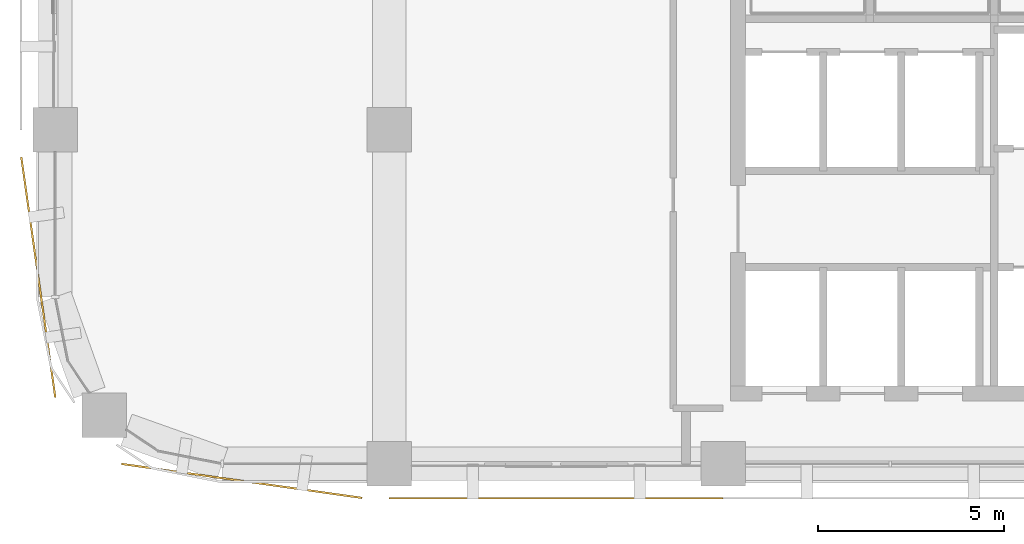
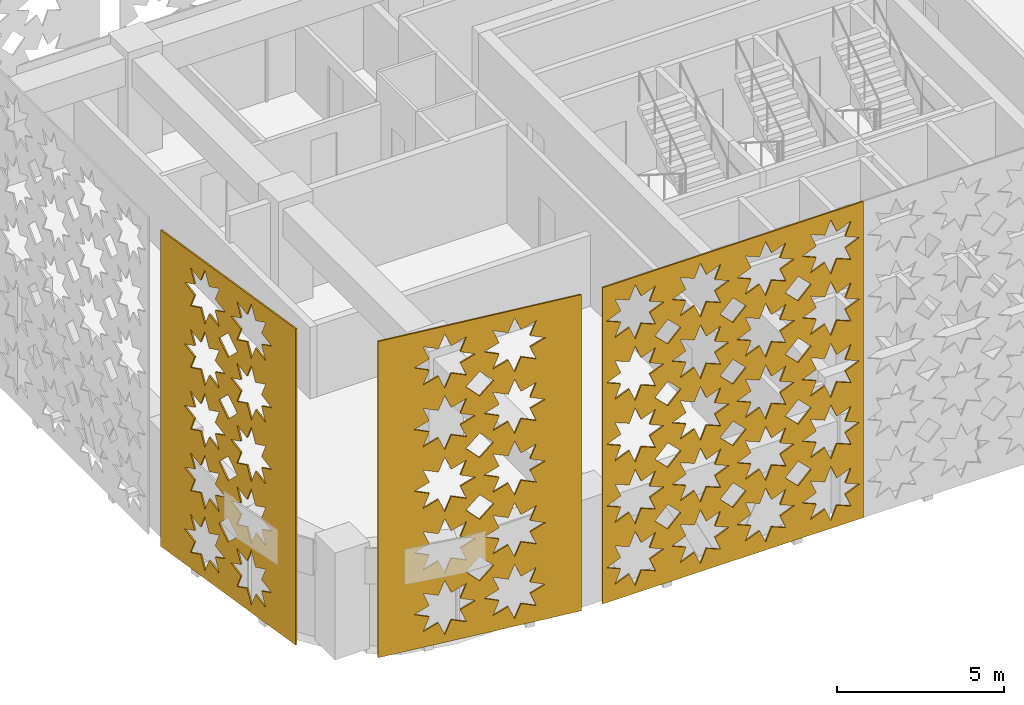
# One storey, part 10 of 15: 3 coverings.
"""IFC4 building model written with IfcOpenShell, lengths in metres."""

from ifc_helpers import new_model, si_unit, direction, frame, origin, place, context, subcontext, project, spatial, polyline, outline, extrude, material, layer, layer_set, type_object, element, save


model = new_model("IFC4")

# Units and contexts
model_context = context("Model", 3, precision=1e-05, world=origin(), true_north=direction((0.0, 1.0)))
body_context = subcontext(model_context, "Body", "Model", "MODEL_VIEW")
ifc_project = project(units=[si_unit("LENGTHUNIT", "METRE"), si_unit("AREAUNIT", "SQUARE_METRE"), si_unit("VOLUMEUNIT", "CUBIC_METRE"), si_unit("PLANEANGLEUNIT", "RADIAN"), si_unit("MASSUNIT", "GRAM", prefix="KILO")], contexts=[model_context])

# Site, building, storey
site_placement = place(None, origin())
site = spatial("IfcSite", under=ifc_project, at=site_placement, CompositionType="ELEMENT")
building_placement = place(site_placement, origin())
building = spatial("IfcBuilding", under=site, at=building_placement, Name="Tessera Arch", CompositionType="ELEMENT")
storey_placement = place(building_placement, frame((0.0, 0.0, 257.89990234375)))
storey = spatial("IfcBuildingStorey", under=building, at=storey_placement, Name="L62", CompositionType="ELEMENT", Elevation=257.89990234375)

# Coverings
ifc_material_1 = material(Name="Anodised aluminium pale metal", Category="aluminium")
ifc_layer_1 = layer(ifc_material_1, 0.050048828125)
ifc_layer_set_1 = layer_set([ifc_layer_1], Name="Pierced screen panel corner bay")
covering_type_1 = type_object("IfcCoveringType", Name="Pierced screen panel corner bay", PredefinedType="CLADDING", material=ifc_layer_set_1)
covering_1_placement = place(storey_placement, frame((17.10888671875, 35.27392578125, 11.7001953125), z_axis=(0.990141011378, 0.140074186016, 0.0), x_axis=(0.140074186016, -0.990141011378, 0.0)))
element("IfcCovering", 1, at=covering_1_placement, inside=storey, type_object=covering_type_1, Name="SCREEN pierced panel W18.27/2 L62-L64", PredefinedType="CLADDING", context=body_context, shape_type="SweptSolid", body=[
    extrude(outline(polyline([(0.0, 0.0), (6.546475218445481, 0.0), (6.546475218445481, 11.5400390625), (0.0, 11.5400390625), (0.0, 0.0)]), holes=[polyline([(3.1378926073747033, 10.27001953125), (2.646957140062835, 10.06298828125), (2.8479028079497066, 9.570068359375), (2.354999273675671, 9.77099609375), (2.147907671256942, 9.280029296875), (1.941990539265672, 9.77099609375), (1.4481200704102128, 9.570068359375), (1.6490657382970841, 10.06298828125), (1.158130270985216, 10.27001953125), (1.6490657382970841, 10.47705078125), (1.4481200704102128, 10.97021484375), (1.941990539265672, 10.76904296875), (2.147907671256942, 11.260009765625), (2.354999273675671, 10.76904296875), (2.8479028079497066, 10.97021484375), (2.646957140062835, 10.47705078125), (3.1378926073747033, 10.27001953125)]), polyline([(3.1378926073747033, 8.02001953125), (2.646957140062835, 7.81298828125), (2.8479028079497066, 7.320068359375), (2.354999273675671, 7.52099609375), (2.147907671256942, 7.030029296875), (1.941990539265672, 7.52099609375), (1.4481200704102128, 7.320068359375), (1.6490657382970841, 7.81298828125), (1.158130270985216, 8.02001953125), (1.6490657382970841, 8.22705078125), (1.4481200704102128, 8.72021484375), (1.941990539265672, 8.51904296875), (2.147907671256942, 9.010009765625), (2.354999273675671, 8.51904296875), (2.8479028079497066, 8.72021484375), (2.646957140062835, 8.22705078125), (3.1378926073747033, 8.02001953125)]), polyline([(3.1378926073747033, 5.77001953125), (2.646957140062835, 5.56298828125), (2.8479028079497066, 5.070068359375), (2.354999273675671, 5.27099609375), (2.147907671256942, 4.780029296875), (1.941990539265672, 5.27099609375), (1.4481200704102128, 5.070068359375), (1.6490657382970841, 5.56298828125), (1.158130270985216, 5.77001953125), (1.6490657382970841, 5.97705078125), (1.4481200704102128, 6.47021484375), (1.941990539265672, 6.26904296875), (2.147907671256942, 6.760009765625), (2.354999273675671, 6.26904296875), (2.8479028079497066, 6.47021484375), (2.646957140062835, 5.97705078125), (3.1378926073747033, 5.77001953125)]), polyline([(3.1378926073747033, 3.52001953125), (2.646957140062835, 3.31298828125), (2.8479028079497066, 2.820068359375), (2.354999273675671, 3.02099609375), (2.147907671256942, 2.530029296875), (1.941990539265672, 3.02099609375), (1.4481200704102128, 2.820068359375), (1.6490657382970841, 3.31298828125), (1.158130270985216, 3.52001953125), (1.6490657382970841, 3.72705078125), (1.4481200704102128, 4.22021484375), (1.941990539265672, 4.01904296875), (2.147907671256942, 4.510009765625), (2.354999273675671, 4.01904296875), (2.8479028079497066, 4.22021484375), (2.646957140062835, 3.72705078125), (3.1378926073747033, 3.52001953125)]), polyline([(3.1378926073747033, 1.27001953125), (2.646957140062835, 1.06298828125), (2.8479028079497066, 0.570068359375), (2.354999273675671, 0.77099609375), (2.147907671256942, 0.280029296875), (1.941990539265672, 0.77099609375), (1.4481200704102128, 0.570068359375), (1.6490657382970841, 1.06298828125), (1.158130270985216, 1.27001953125), (1.6490657382970841, 1.47705078125), (1.4481200704102128, 1.97021484375), (1.941990539265672, 1.76904296875), (2.147907671256942, 2.260009765625), (2.354999273675671, 1.76904296875), (2.8479028079497066, 1.97021484375), (2.646957140062835, 1.47705078125), (3.1378926073747033, 1.27001953125)]), polyline([(5.387861480169554, 10.27001953125), (4.896926012857686, 10.06298828125), (5.097871680744557, 9.570068359375), (4.604968146470521, 9.77099609375), (4.398118277697149, 9.280029296875), (4.191959412060523, 9.77099609375), (3.698088943205064, 9.570068359375), (3.899034611091935, 10.06298828125), (3.408099143780067, 10.27001953125), (3.899034611091935, 10.47705078125), (3.698088943205064, 10.97021484375), (4.191959412060523, 10.76904296875), (4.398118277697149, 11.260009765625), (4.604968146470521, 10.76904296875), (5.097871680744557, 10.97021484375), (4.896926012857686, 10.47705078125), (5.387861480169554, 10.27001953125)]), polyline([(5.387861480169554, 8.02001953125), (4.896926012857686, 7.81298828125), (5.097871680744557, 7.320068359375), (4.604968146470521, 7.52099609375), (4.398118277697149, 7.030029296875), (4.191959412060523, 7.52099609375), (3.698088943205064, 7.320068359375), (3.899034611091935, 7.81298828125), (3.408099143780067, 8.02001953125), (3.899034611091935, 8.22705078125), (3.698088943205064, 8.72021484375), (4.191959412060523, 8.51904296875), (4.398118277697149, 9.010009765625), (4.604968146470521, 8.51904296875), (5.097871680744557, 8.72021484375), (4.896926012857686, 8.22705078125), (5.387861480169554, 8.02001953125)]), polyline([(5.387861480169554, 5.77001953125), (4.896926012857686, 5.56298828125), (5.097871680744557, 5.070068359375), (4.604968146470521, 5.27099609375), (4.398118277697149, 4.780029296875), (4.191959412060523, 5.27099609375), (3.698088943205064, 5.070068359375), (3.899034611091935, 5.56298828125), (3.408099143780067, 5.77001953125), (3.899034611091935, 5.97705078125), (3.698088943205064, 6.47021484375), (4.191959412060523, 6.26904296875), (4.398118277697149, 6.760009765625), (4.604968146470521, 6.26904296875), (5.097871680744557, 6.47021484375), (4.896926012857686, 5.97705078125), (5.387861480169554, 5.77001953125)]), polyline([(5.387861480169554, 3.52001953125), (4.896926012857686, 3.31298828125), (5.097871680744557, 2.820068359375), (4.604968146470521, 3.02099609375), (4.398118277697149, 2.530029296875), (4.191959412060523, 3.02099609375), (3.698088943205064, 2.820068359375), (3.899034611091935, 3.31298828125), (3.408099143780067, 3.52001953125), (3.899034611091935, 3.72705078125), (3.698088943205064, 4.22021484375), (4.191959412060523, 4.01904296875), (4.398118277697149, 4.510009765625), (4.604968146470521, 4.01904296875), (5.097871680744557, 4.22021484375), (4.896926012857686, 3.72705078125), (5.387861480169554, 3.52001953125)]), polyline([(5.387861480169554, 1.27001953125), (4.896926012857686, 1.06298828125), (5.097871680744557, 0.570068359375), (4.604968146470521, 0.77099609375), (4.398118277697149, 0.280029296875), (4.191959412060523, 0.77099609375), (3.698088943205064, 0.570068359375), (3.899034611091935, 1.06298828125), (3.408099143780067, 1.27001953125), (3.899034611091935, 1.47705078125), (3.698088943205064, 1.97021484375), (4.191959412060523, 1.76904296875), (4.398118277697149, 2.260009765625), (4.604968146470521, 1.76904296875), (5.097871680744557, 1.97021484375), (4.896926012857686, 1.47705078125), (5.387861480169554, 1.27001953125)]), polyline([(3.7229828105764913, 9.14501953125), (3.2729958755773856, 8.695068359375), (2.823008940578279, 9.14501953125), (3.2729958755773856, 9.59521484375), (3.7229828105764913, 9.14501953125)]), polyline([(3.7229828105764913, 6.89501953125), (3.2729958755773856, 6.445068359375), (2.823008940578279, 6.89501953125), (3.2729958755773856, 7.34521484375), (3.7229828105764913, 6.89501953125)]), polyline([(3.7229828105764913, 4.64501953125), (3.2729958755773856, 4.195068359375), (2.823008940578279, 4.64501953125), (3.2729958755773856, 5.09521484375), (3.7229828105764913, 4.64501953125)]), polyline([(3.7229828105764913, 2.39501953125), (3.2729958755773856, 1.945068359375), (2.823008940578279, 2.39501953125), (3.2729958755773856, 2.84521484375), (3.7229828105764913, 2.39501953125)])]), origin(), (0.0, 0.0, -1.0), 0.050048828125),
])
covering_2_placement = place(storey_placement, frame((19.7919921875, 27.02587890625, 11.7001953125), z_axis=(0.140074186016, 0.990141011378, 0.0), x_axis=(0.990141011378, -0.140074186016, 0.0)))
element("IfcCovering", 2, at=covering_2_placement, inside=storey, type_object=covering_type_1, Name="SCREEN pierced panel S27.18/0 L62-L64", PredefinedType="CLADDING", context=body_context, shape_type="SweptSolid", body=[
    extrude(outline(polyline([(0.0, 0.0), (6.546475218445481, 0.0), (6.546475218445481, 11.5400390625), (0.0, 11.5400390625), (0.0, 0.0)]), holes=[polyline([(3.137858409575383, 10.27001953125), (2.6469229422635148, 10.06298828125), (2.8479028079497066, 9.570068359375), (2.354999273675671, 9.77099609375), (2.1478734734576217, 9.280029296875), (1.941990539265672, 9.77099609375), (1.447878336764857, 9.570068359375), (1.6490657382970841, 10.06298828125), (1.15788853733986, 10.27001953125), (1.6490657382970841, 10.47705078125), (1.447878336764857, 10.97021484375), (1.941990539265672, 10.76904296875), (2.1478734734576217, 11.260009765625), (2.354999273675671, 10.76904296875), (2.8479028079497066, 10.97021484375), (2.6469229422635148, 10.47705078125), (3.137858409575383, 10.27001953125)]), polyline([(3.137858409575383, 8.02001953125), (2.6469229422635148, 7.81298828125), (2.8479028079497066, 7.320068359375), (2.354999273675671, 7.52099609375), (2.1478734734576217, 7.030029296875), (1.941990539265672, 7.52099609375), (1.447878336764857, 7.320068359375), (1.6490657382970841, 7.81298828125), (1.15788853733986, 8.02001953125), (1.6490657382970841, 8.22705078125), (1.447878336764857, 8.72021484375), (1.941990539265672, 8.51904296875), (2.1478734734576217, 9.010009765625), (2.354999273675671, 8.51904296875), (2.8479028079497066, 8.72021484375), (2.6469229422635148, 8.22705078125), (3.137858409575383, 8.02001953125)]), polyline([(3.137858409575383, 5.77001953125), (2.6469229422635148, 5.56298828125), (2.8479028079497066, 5.070068359375), (2.354999273675671, 5.27099609375), (2.1478734734576217, 4.780029296875), (1.941990539265672, 5.27099609375), (1.447878336764857, 5.070068359375), (1.6490657382970841, 5.56298828125), (1.15788853733986, 5.77001953125), (1.6490657382970841, 5.97705078125), (1.447878336764857, 6.47021484375), (1.941990539265672, 6.26904296875), (2.1478734734576217, 6.760009765625), (2.354999273675671, 6.26904296875), (2.8479028079497066, 6.47021484375), (2.6469229422635148, 5.97705078125), (3.137858409575383, 5.77001953125)]), polyline([(3.137858409575383, 3.52001953125), (2.6469229422635148, 3.31298828125), (2.8479028079497066, 2.820068359375), (2.354999273675671, 3.02099609375), (2.1478734734576217, 2.530029296875), (1.941990539265672, 3.02099609375), (1.447878336764857, 2.820068359375), (1.6490657382970841, 3.31298828125), (1.15788853733986, 3.52001953125), (1.6490657382970841, 3.72705078125), (1.447878336764857, 4.22021484375), (1.941990539265672, 4.01904296875), (2.1478734734576217, 4.510009765625), (2.354999273675671, 4.01904296875), (2.8479028079497066, 4.22021484375), (2.6469229422635148, 3.72705078125), (3.137858409575383, 3.52001953125)]), polyline([(3.137858409575383, 1.27001953125), (2.6469229422635148, 1.06298828125), (2.8479028079497066, 0.570068359375), (2.354999273675671, 0.77099609375), (2.1478734734576217, 0.280029296875), (1.941990539265672, 0.77099609375), (1.447878336764857, 0.570068359375), (1.6490657382970841, 1.06298828125), (1.15788853733986, 1.27001953125), (1.6490657382970841, 1.47705078125), (1.447878336764857, 1.97021484375), (1.941990539265672, 1.76904296875), (2.1478734734576217, 2.260009765625), (2.354999273675671, 1.76904296875), (2.8479028079497066, 1.97021484375), (2.6469229422635148, 1.47705078125), (3.137858409575383, 1.27001953125)]), polyline([(5.387827282370234, 10.27001953125), (4.896891815058366, 10.06298828125), (5.097871680744557, 9.570068359375), (4.604968146470521, 9.77099609375), (4.397842346252473, 9.280029296875), (4.191959412060523, 9.77099609375), (3.698088943205064, 9.570068359375), (3.899034611091935, 10.06298828125), (3.407857410134711, 10.27001953125), (3.899034611091935, 10.47705078125), (3.698088943205064, 10.97021484375), (4.191959412060523, 10.76904296875), (4.397842346252473, 11.260009765625), (4.604968146470521, 10.76904296875), (5.097871680744557, 10.97021484375), (4.896891815058366, 10.47705078125), (5.387827282370234, 10.27001953125)]), polyline([(5.387827282370234, 8.02001953125), (4.896891815058366, 7.81298828125), (5.097871680744557, 7.320068359375), (4.604968146470521, 7.52099609375), (4.397842346252473, 7.030029296875), (4.191959412060523, 7.52099609375), (3.698088943205064, 7.320068359375), (3.899034611091935, 7.81298828125), (3.407857410134711, 8.02001953125), (3.899034611091935, 8.22705078125), (3.698088943205064, 8.72021484375), (4.191959412060523, 8.51904296875), (4.397842346252473, 9.010009765625), (4.604968146470521, 8.51904296875), (5.097871680744557, 8.72021484375), (4.896891815058366, 8.22705078125), (5.387827282370234, 8.02001953125)]), polyline([(5.387827282370234, 5.77001953125), (4.896891815058366, 5.56298828125), (5.097871680744557, 5.070068359375), (4.604968146470521, 5.27099609375), (4.397842346252473, 4.780029296875), (4.191959412060523, 5.27099609375), (3.698088943205064, 5.070068359375), (3.899034611091935, 5.56298828125), (3.407857410134711, 5.77001953125), (3.899034611091935, 5.97705078125), (3.698088943205064, 6.47021484375), (4.191959412060523, 6.26904296875), (4.397842346252473, 6.760009765625), (4.604968146470521, 6.26904296875), (5.097871680744557, 6.47021484375), (4.896891815058366, 5.97705078125), (5.387827282370234, 5.77001953125)]), polyline([(5.387827282370234, 3.52001953125), (4.896891815058366, 3.31298828125), (5.097871680744557, 2.820068359375), (4.604968146470521, 3.02099609375), (4.397842346252473, 2.530029296875), (4.191959412060523, 3.02099609375), (3.698088943205064, 2.820068359375), (3.899034611091935, 3.31298828125), (3.407857410134711, 3.52001953125), (3.899034611091935, 3.72705078125), (3.698088943205064, 4.22021484375), (4.191959412060523, 4.01904296875), (4.397842346252473, 4.510009765625), (4.604968146470521, 4.01904296875), (5.097871680744557, 4.22021484375), (4.896891815058366, 3.72705078125), (5.387827282370234, 3.52001953125)]), polyline([(5.387827282370234, 1.27001953125), (4.896891815058366, 1.06298828125), (5.097871680744557, 0.570068359375), (4.604968146470521, 0.77099609375), (4.397842346252473, 0.280029296875), (4.191959412060523, 0.77099609375), (3.698088943205064, 0.570068359375), (3.899034611091935, 1.06298828125), (3.407857410134711, 1.27001953125), (3.899034611091935, 1.47705078125), (3.698088943205064, 1.97021484375), (4.191959412060523, 1.76904296875), (4.397842346252473, 2.260009765625), (4.604968146470521, 1.76904296875), (5.097871680744557, 1.97021484375), (4.896891815058366, 1.47705078125), (5.387827282370234, 1.27001953125)]), polyline([(3.7229828105764913, 9.14501953125), (3.2729958755773856, 8.695068359375), (2.8229747427789587, 9.14501953125), (3.2729958755773856, 9.59521484375), (3.7229828105764913, 9.14501953125)]), polyline([(3.7229828105764913, 6.89501953125), (3.2729958755773856, 6.445068359375), (2.8229747427789587, 6.89501953125), (3.2729958755773856, 7.34521484375), (3.7229828105764913, 6.89501953125)]), polyline([(3.7229828105764913, 4.64501953125), (3.2729958755773856, 4.195068359375), (2.8229747427789587, 4.64501953125), (3.2729958755773856, 5.09521484375), (3.7229828105764913, 4.64501953125)]), polyline([(3.7229828105764913, 2.39501953125), (3.2729958755773856, 1.945068359375), (2.8229747427789587, 2.39501953125), (3.2729958755773856, 2.84521484375), (3.7229828105764913, 2.39501953125)])]), origin(), (0.0, 0.0, -1.0), 0.050048828125),
])
ifc_material_2 = material(Name="Anodised aluminium pale metal", Category="aluminium")
ifc_layer_2 = layer(ifc_material_2, 0.050048828125)
ifc_layer_set_2 = layer_set([ifc_layer_2], Name="Pierced screen panel straight bay")
covering_type_2 = type_object("IfcCoveringType", Name="Pierced screen panel straight bay", PredefinedType="CLADDING", material=ifc_layer_set_2)
covering_3_placement = place(storey_placement, frame((27.0, 26.10009765625, 11.7001953125), z_axis=(0.0, 1.0, 0.0), x_axis=(1.0, 0.0, 0.0)))
element("IfcCovering", 3, at=covering_3_placement, inside=storey, type_object=covering_type_2, Name="SCREEN pierced panel S27.18/1 L62-L64", PredefinedType="CLADDING", context=body_context, shape_type="SweptSolid", body=[
    extrude(outline(polyline([(0.0, 0.0), (9.0, 0.0), (9.0, 11.5400390625), (0.0, 11.5400390625), (0.0, 0.0)]), holes=[polyline([(2.114990234375, 10.27001953125), (1.6240234375, 10.06298828125), (1.824951171875, 9.570068359375), (1.33203125, 9.77099609375), (1.125, 9.280029296875), (0.91796875, 9.77099609375), (0.425048828125, 9.570068359375), (0.6259765625, 10.06298828125), (0.135009765625, 10.27001953125), (0.6259765625, 10.47705078125), (0.425048828125, 10.97021484375), (0.91796875, 10.76904296875), (1.125, 11.260009765625), (1.33203125, 10.76904296875), (1.824951171875, 10.97021484375), (1.6240234375, 10.47705078125), (2.114990234375, 10.27001953125)]), polyline([(2.114990234375, 8.02001953125), (1.6240234375, 7.81298828125), (1.824951171875, 7.320068359375), (1.33203125, 7.52099609375), (1.125, 7.030029296875), (0.91796875, 7.52099609375), (0.425048828125, 7.320068359375), (0.6259765625, 7.81298828125), (0.135009765625, 8.02001953125), (0.6259765625, 8.22705078125), (0.425048828125, 8.72021484375), (0.91796875, 8.51904296875), (1.125, 9.010009765625), (1.33203125, 8.51904296875), (1.824951171875, 8.72021484375), (1.6240234375, 8.22705078125), (2.114990234375, 8.02001953125)]), polyline([(2.114990234375, 5.77001953125), (1.6240234375, 5.56298828125), (1.824951171875, 5.070068359375), (1.33203125, 5.27099609375), (1.125, 4.780029296875), (0.91796875, 5.27099609375), (0.425048828125, 5.070068359375), (0.6259765625, 5.56298828125), (0.135009765625, 5.77001953125), (0.6259765625, 5.97705078125), (0.425048828125, 6.47021484375), (0.91796875, 6.26904296875), (1.125, 6.760009765625), (1.33203125, 6.26904296875), (1.824951171875, 6.47021484375), (1.6240234375, 5.97705078125), (2.114990234375, 5.77001953125)]), polyline([(2.114990234375, 3.52001953125), (1.6240234375, 3.31298828125), (1.824951171875, 2.820068359375), (1.33203125, 3.02099609375), (1.125, 2.530029296875), (0.91796875, 3.02099609375), (0.425048828125, 2.820068359375), (0.6259765625, 3.31298828125), (0.135009765625, 3.52001953125), (0.6259765625, 3.72705078125), (0.425048828125, 4.22021484375), (0.91796875, 4.01904296875), (1.125, 4.510009765625), (1.33203125, 4.01904296875), (1.824951171875, 4.22021484375), (1.6240234375, 3.72705078125), (2.114990234375, 3.52001953125)]), polyline([(2.114990234375, 1.27001953125), (1.6240234375, 1.06298828125), (1.824951171875, 0.570068359375), (1.33203125, 0.77099609375), (1.125, 0.280029296875), (0.91796875, 0.77099609375), (0.425048828125, 0.570068359375), (0.6259765625, 1.06298828125), (0.135009765625, 1.27001953125), (0.6259765625, 1.47705078125), (0.425048828125, 1.97021484375), (0.91796875, 1.76904296875), (1.125, 2.260009765625), (1.33203125, 1.76904296875), (1.824951171875, 1.97021484375), (1.6240234375, 1.47705078125), (2.114990234375, 1.27001953125)]), polyline([(4.364990234375, 10.27001953125), (3.8740234375, 10.06298828125), (4.074951171875, 9.570068359375), (3.58203125, 9.77099609375), (3.375, 9.280029296875), (3.16796875, 9.77099609375), (2.675048828125, 9.570068359375), (2.8759765625, 10.06298828125), (2.385009765625, 10.27001953125), (2.8759765625, 10.47705078125), (2.675048828125, 10.97021484375), (3.16796875, 10.76904296875), (3.375, 11.260009765625), (3.58203125, 10.76904296875), (4.074951171875, 10.97021484375), (3.8740234375, 10.47705078125), (4.364990234375, 10.27001953125)]), polyline([(4.364990234375, 8.02001953125), (3.8740234375, 7.81298828125), (4.074951171875, 7.320068359375), (3.58203125, 7.52099609375), (3.375, 7.030029296875), (3.16796875, 7.52099609375), (2.675048828125, 7.320068359375), (2.8759765625, 7.81298828125), (2.385009765625, 8.02001953125), (2.8759765625, 8.22705078125), (2.675048828125, 8.72021484375), (3.16796875, 8.51904296875), (3.375, 9.010009765625), (3.58203125, 8.51904296875), (4.074951171875, 8.72021484375), (3.8740234375, 8.22705078125), (4.364990234375, 8.02001953125)]), polyline([(4.364990234375, 5.77001953125), (3.8740234375, 5.56298828125), (4.074951171875, 5.070068359375), (3.58203125, 5.27099609375), (3.375, 4.780029296875), (3.16796875, 5.27099609375), (2.675048828125, 5.070068359375), (2.8759765625, 5.56298828125), (2.385009765625, 5.77001953125), (2.8759765625, 5.97705078125), (2.675048828125, 6.47021484375), (3.16796875, 6.26904296875), (3.375, 6.760009765625), (3.58203125, 6.26904296875), (4.074951171875, 6.47021484375), (3.8740234375, 5.97705078125), (4.364990234375, 5.77001953125)]), polyline([(4.364990234375, 3.52001953125), (3.8740234375, 3.31298828125), (4.074951171875, 2.820068359375), (3.58203125, 3.02099609375), (3.375, 2.530029296875), (3.16796875, 3.02099609375), (2.675048828125, 2.820068359375), (2.8759765625, 3.31298828125), (2.385009765625, 3.52001953125), (2.8759765625, 3.72705078125), (2.675048828125, 4.22021484375), (3.16796875, 4.01904296875), (3.375, 4.510009765625), (3.58203125, 4.01904296875), (4.074951171875, 4.22021484375), (3.8740234375, 3.72705078125), (4.364990234375, 3.52001953125)]), polyline([(4.364990234375, 1.27001953125), (3.8740234375, 1.06298828125), (4.074951171875, 0.570068359375), (3.58203125, 0.77099609375), (3.375, 0.280029296875), (3.16796875, 0.77099609375), (2.675048828125, 0.570068359375), (2.8759765625, 1.06298828125), (2.385009765625, 1.27001953125), (2.8759765625, 1.47705078125), (2.675048828125, 1.97021484375), (3.16796875, 1.76904296875), (3.375, 2.260009765625), (3.58203125, 1.76904296875), (4.074951171875, 1.97021484375), (3.8740234375, 1.47705078125), (4.364990234375, 1.27001953125)]), polyline([(6.614990234375, 10.27001953125), (6.1240234375, 10.06298828125), (6.324951171875, 9.570068359375), (5.83203125, 9.77099609375), (5.625, 9.280029296875), (5.41796875, 9.77099609375), (4.925048828125, 9.570068359375), (5.1259765625, 10.06298828125), (4.635009765625, 10.27001953125), (5.1259765625, 10.47705078125), (4.925048828125, 10.97021484375), (5.41796875, 10.76904296875), (5.625, 11.260009765625), (5.83203125, 10.76904296875), (6.324951171875, 10.97021484375), (6.1240234375, 10.47705078125), (6.614990234375, 10.27001953125)]), polyline([(6.614990234375, 8.02001953125), (6.1240234375, 7.81298828125), (6.324951171875, 7.320068359375), (5.83203125, 7.52099609375), (5.625, 7.030029296875), (5.41796875, 7.52099609375), (4.925048828125, 7.320068359375), (5.1259765625, 7.81298828125), (4.635009765625, 8.02001953125), (5.1259765625, 8.22705078125), (4.925048828125, 8.72021484375), (5.41796875, 8.51904296875), (5.625, 9.010009765625), (5.83203125, 8.51904296875), (6.324951171875, 8.72021484375), (6.1240234375, 8.22705078125), (6.614990234375, 8.02001953125)]), polyline([(6.614990234375, 5.77001953125), (6.1240234375, 5.56298828125), (6.324951171875, 5.070068359375), (5.83203125, 5.27099609375), (5.625, 4.780029296875), (5.41796875, 5.27099609375), (4.925048828125, 5.070068359375), (5.1259765625, 5.56298828125), (4.635009765625, 5.77001953125), (5.1259765625, 5.97705078125), (4.925048828125, 6.47021484375), (5.41796875, 6.26904296875), (5.625, 6.760009765625), (5.83203125, 6.26904296875), (6.324951171875, 6.47021484375), (6.1240234375, 5.97705078125), (6.614990234375, 5.77001953125)]), polyline([(6.614990234375, 3.52001953125), (6.1240234375, 3.31298828125), (6.324951171875, 2.820068359375), (5.83203125, 3.02099609375), (5.625, 2.530029296875), (5.41796875, 3.02099609375), (4.925048828125, 2.820068359375), (5.1259765625, 3.31298828125), (4.635009765625, 3.52001953125), (5.1259765625, 3.72705078125), (4.925048828125, 4.22021484375), (5.41796875, 4.01904296875), (5.625, 4.510009765625), (5.83203125, 4.01904296875), (6.324951171875, 4.22021484375), (6.1240234375, 3.72705078125), (6.614990234375, 3.52001953125)]), polyline([(6.614990234375, 1.27001953125), (6.1240234375, 1.06298828125), (6.324951171875, 0.570068359375), (5.83203125, 0.77099609375), (5.625, 0.280029296875), (5.41796875, 0.77099609375), (4.925048828125, 0.570068359375), (5.1259765625, 1.06298828125), (4.635009765625, 1.27001953125), (5.1259765625, 1.47705078125), (4.925048828125, 1.97021484375), (5.41796875, 1.76904296875), (5.625, 2.260009765625), (5.83203125, 1.76904296875), (6.324951171875, 1.97021484375), (6.1240234375, 1.47705078125), (6.614990234375, 1.27001953125)]), polyline([(8.864990234375, 10.27001953125), (8.3740234375, 10.06298828125), (8.574951171875, 9.570068359375), (8.08203125, 9.77099609375), (7.875, 9.280029296875), (7.66796875, 9.77099609375), (7.175048828125, 9.570068359375), (7.3759765625, 10.06298828125), (6.885009765625, 10.27001953125), (7.3759765625, 10.47705078125), (7.175048828125, 10.97021484375), (7.66796875, 10.76904296875), (7.875, 11.260009765625), (8.08203125, 10.76904296875), (8.574951171875, 10.97021484375), (8.3740234375, 10.47705078125), (8.864990234375, 10.27001953125)]), polyline([(8.864990234375, 8.02001953125), (8.3740234375, 7.81298828125), (8.574951171875, 7.320068359375), (8.08203125, 7.52099609375), (7.875, 7.030029296875), (7.66796875, 7.52099609375), (7.175048828125, 7.320068359375), (7.3759765625, 7.81298828125), (6.885009765625, 8.02001953125), (7.3759765625, 8.22705078125), (7.175048828125, 8.72021484375), (7.66796875, 8.51904296875), (7.875, 9.010009765625), (8.08203125, 8.51904296875), (8.574951171875, 8.72021484375), (8.3740234375, 8.22705078125), (8.864990234375, 8.02001953125)]), polyline([(8.864990234375, 5.77001953125), (8.3740234375, 5.56298828125), (8.574951171875, 5.070068359375), (8.08203125, 5.27099609375), (7.875, 4.780029296875), (7.66796875, 5.27099609375), (7.175048828125, 5.070068359375), (7.3759765625, 5.56298828125), (6.885009765625, 5.77001953125), (7.3759765625, 5.97705078125), (7.175048828125, 6.47021484375), (7.66796875, 6.26904296875), (7.875, 6.760009765625), (8.08203125, 6.26904296875), (8.574951171875, 6.47021484375), (8.3740234375, 5.97705078125), (8.864990234375, 5.77001953125)]), polyline([(8.864990234375, 3.52001953125), (8.3740234375, 3.31298828125), (8.574951171875, 2.820068359375), (8.08203125, 3.02099609375), (7.875, 2.530029296875), (7.66796875, 3.02099609375), (7.175048828125, 2.820068359375), (7.3759765625, 3.31298828125), (6.885009765625, 3.52001953125), (7.3759765625, 3.72705078125), (7.175048828125, 4.22021484375), (7.66796875, 4.01904296875), (7.875, 4.510009765625), (8.08203125, 4.01904296875), (8.574951171875, 4.22021484375), (8.3740234375, 3.72705078125), (8.864990234375, 3.52001953125)]), polyline([(8.864990234375, 1.27001953125), (8.3740234375, 1.06298828125), (8.574951171875, 0.570068359375), (8.08203125, 0.77099609375), (7.875, 0.280029296875), (7.66796875, 0.77099609375), (7.175048828125, 0.570068359375), (7.3759765625, 1.06298828125), (6.885009765625, 1.27001953125), (7.3759765625, 1.47705078125), (7.175048828125, 1.97021484375), (7.66796875, 1.76904296875), (7.875, 2.260009765625), (8.08203125, 1.76904296875), (8.574951171875, 1.97021484375), (8.3740234375, 1.47705078125), (8.864990234375, 1.27001953125)]), polyline([(2.699951171875, 9.14501953125), (2.25, 8.695068359375), (1.800048828125, 9.14501953125), (2.25, 9.59521484375), (2.699951171875, 9.14501953125)]), polyline([(2.699951171875, 6.89501953125), (2.25, 6.445068359375), (1.800048828125, 6.89501953125), (2.25, 7.34521484375), (2.699951171875, 6.89501953125)]), polyline([(2.699951171875, 4.64501953125), (2.25, 4.195068359375), (1.800048828125, 4.64501953125), (2.25, 5.09521484375), (2.699951171875, 4.64501953125)]), polyline([(2.699951171875, 2.39501953125), (2.25, 1.945068359375), (1.800048828125, 2.39501953125), (2.25, 2.84521484375), (2.699951171875, 2.39501953125)]), polyline([(4.949951171875, 9.14501953125), (4.5, 8.695068359375), (4.050048828125, 9.14501953125), (4.5, 9.59521484375), (4.949951171875, 9.14501953125)]), polyline([(4.949951171875, 6.89501953125), (4.5, 6.445068359375), (4.050048828125, 6.89501953125), (4.5, 7.34521484375), (4.949951171875, 6.89501953125)]), polyline([(4.949951171875, 4.64501953125), (4.5, 4.195068359375), (4.050048828125, 4.64501953125), (4.5, 5.09521484375), (4.949951171875, 4.64501953125)]), polyline([(4.949951171875, 2.39501953125), (4.5, 1.945068359375), (4.050048828125, 2.39501953125), (4.5, 2.84521484375), (4.949951171875, 2.39501953125)]), polyline([(7.199951171875, 9.14501953125), (6.75, 8.695068359375), (6.300048828125, 9.14501953125), (6.75, 9.59521484375), (7.199951171875, 9.14501953125)]), polyline([(7.199951171875, 6.89501953125), (6.75, 6.445068359375), (6.300048828125, 6.89501953125), (6.75, 7.34521484375), (7.199951171875, 6.89501953125)]), polyline([(7.199951171875, 4.64501953125), (6.75, 4.195068359375), (6.300048828125, 4.64501953125), (6.75, 5.09521484375), (7.199951171875, 4.64501953125)]), polyline([(7.199951171875, 2.39501953125), (6.75, 1.945068359375), (6.300048828125, 2.39501953125), (6.75, 2.84521484375), (7.199951171875, 2.39501953125)])]), origin(), (0.0, 0.0, -1.0), 0.050048828125),
])

save(model, "model.ifc")
